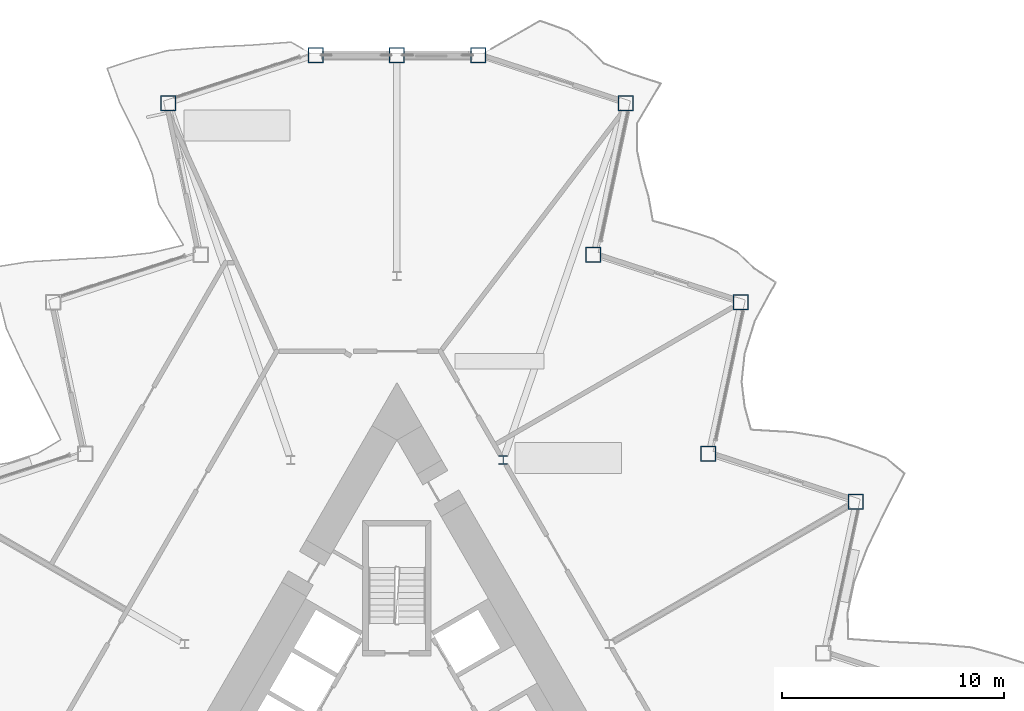
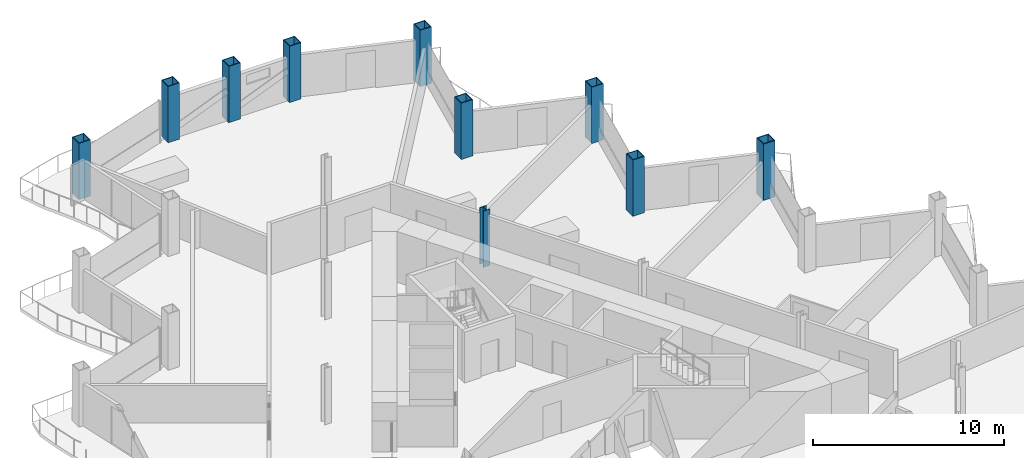
# One storey, part 3 of 23: 10 columns.
"""IFC4 building model written with IfcOpenShell, lengths in metres."""

from ifc_helpers import new_model, si_unit, direction, frame, origin, origin_2d, place, context, subcontext, project, spatial, hollow_rectangle, i_section, extrude, material, material_profile, profile_set, type_object, element, save


model = new_model("IFC4")

# Units and contexts
model_context = context("Model", 3, precision=1e-05, world=origin(), true_north=direction((0.0, 1.0)))
body_context = subcontext(model_context, "Body", "Model", "MODEL_VIEW")
ifc_project = project(units=[si_unit("LENGTHUNIT", "METRE"), si_unit("AREAUNIT", "SQUARE_METRE"), si_unit("VOLUMEUNIT", "CUBIC_METRE"), si_unit("PLANEANGLEUNIT", "RADIAN"), si_unit("MASSUNIT", "GRAM", prefix="KILO")], contexts=[model_context])

# Site, building, storey
site_placement = place(None, origin())
site = spatial("IfcSite", under=ifc_project, at=site_placement, CompositionType="ELEMENT")
building_placement = place(site_placement, origin())
building = spatial("IfcBuilding", under=site, at=building_placement, Name="Cormorant Prow Tower", CompositionType="ELEMENT")
storey_placement = place(building_placement, frame((0.0, 0.0, 267.0)))
storey = spatial("IfcBuildingStorey", under=building, at=storey_placement, Name="L60", CompositionType="ELEMENT", Elevation=267.0)

# Columns
ifc_material_1 = material(Name="Structural steel ASTM A572 Gr 50", Category="steel")
ifc_material_profile_1 = material_profile(ifc_material_1, hollow_rectangle(XDim=0.699951171875, YDim=0.699951171875, WallThickness=0.044921875, at=origin_2d()), Name="Box 700x700x45")
ifc_profile_set_1 = profile_set([ifc_material_profile_1], Name="Structural steel ASTM A572 Gr 50")
column_type_1 = type_object("IfcColumnType", Name="Perimeter box column 700x700x45", PredefinedType="COLUMN", material=ifc_profile_set_1)
for number, where, z_axis, x_axis, name in (
    (1, (20.686767578125, 11.943359375, 0.0), (0.0, 0.0, 1.0), (1.0, 0.0, 0.0), "Perimeter column C5 at ENE05 L60"),
    (2, (14.046875, 14.100830078125, 0.0), (0.0, 0.0, 1.0), (1.0, 0.0, 0.0), "Perimeter column C5 at ENE06 L60"),
    (3, (15.49853515625, 20.9296875, 0.0), (0.0, 0.0, 1.0), (1.0, 0.0, 0.0), "Perimeter column C5 at ENE07 L60"),
    (4, (8.858642578125, 23.087158203125, 0.0), (0.0, 0.0, 1.0), (1.0, 0.0, 0.0), "Perimeter column C5 at ENE08 L60"),
    (5, (10.310302734375, 29.916015625, 0.0), (0.0, 0.0, 1.0), (1.0, 0.0, 0.0), "Perimeter column C5 at ENE09 L60"),
    (6, (3.67041015625, 32.073486328125, 0.0), (0.0, 0.0, 1.0), (1.0, 0.0, 0.0), "Perimeter column C5 at N00 L60"),
    (7, (0.0, 32.073486328125, 0.0), (0.0, 0.0, 1.0), (1.0, 0.0, 0.0), "Perimeter column C5 at N01 L60"),
    (8, (-3.67041015625, 32.073486328125, 0.0), (0.0, 0.0, 1.0), (1.0, 0.0, 0.0), "Perimeter column C5 at WNW00 L60"),
    (9, (-10.310302734375, 29.916015625, 0.0), (0.0, 0.0, 1.0), (1.0, 0.0, 0.0), "Perimeter column C5 at WNW01 L60"),
):
    element("IfcColumn", number, at=place(storey_placement, frame(where, z_axis=z_axis, x_axis=x_axis)), inside=storey, type_object=column_type_1, Name=name, PredefinedType="COLUMN", context=body_context, shape_type="SweptSolid", body=[
        extrude(hollow_rectangle(XDim=0.699951171875, YDim=0.699951171875, WallThickness=0.044921875, at=origin_2d()), origin(), (0.0, 0.0, 1.0), 3.60009765625),
    ])
ifc_material_2 = material(Name="Structural steel ASTM A992 Gr 50", Category="steel")
ifc_material_profile_2 = material_profile(ifc_material_2, i_section(OverallWidth=0.39892578125, OverallDepth=0.393310546875, WebThickness=0.022705078125, FlangeThickness=0.03662109375, at=origin_2d()), Name="W14x193")
ifc_profile_set_2 = profile_set([ifc_material_profile_2], Name="Structural steel ASTM A992 Gr 50")
column_type_2 = type_object("IfcColumnType", Name="Ring column W14x193", PredefinedType="COLUMN", material=ifc_profile_set_2)
column_placement = place(storey_placement, frame((4.789306640625, 13.8251953125, 0.0), z_axis=(0.0, 0.0, 1.0), x_axis=(1.0, 0.0, 0.0)))
element("IfcColumn", 10, at=column_placement, inside=storey, type_object=column_type_2, Name="Ring column 12 L60", PredefinedType="COLUMN", context=body_context, shape_type="SweptSolid", body=[
    extrude(i_section(OverallWidth=0.39892578125, OverallDepth=0.393310546875, WebThickness=0.022705078125, FlangeThickness=0.03662109375, at=origin_2d()), origin(), (0.0, 0.0, 1.0), 3.60009765625),
])

save(model, "model.ifc")
